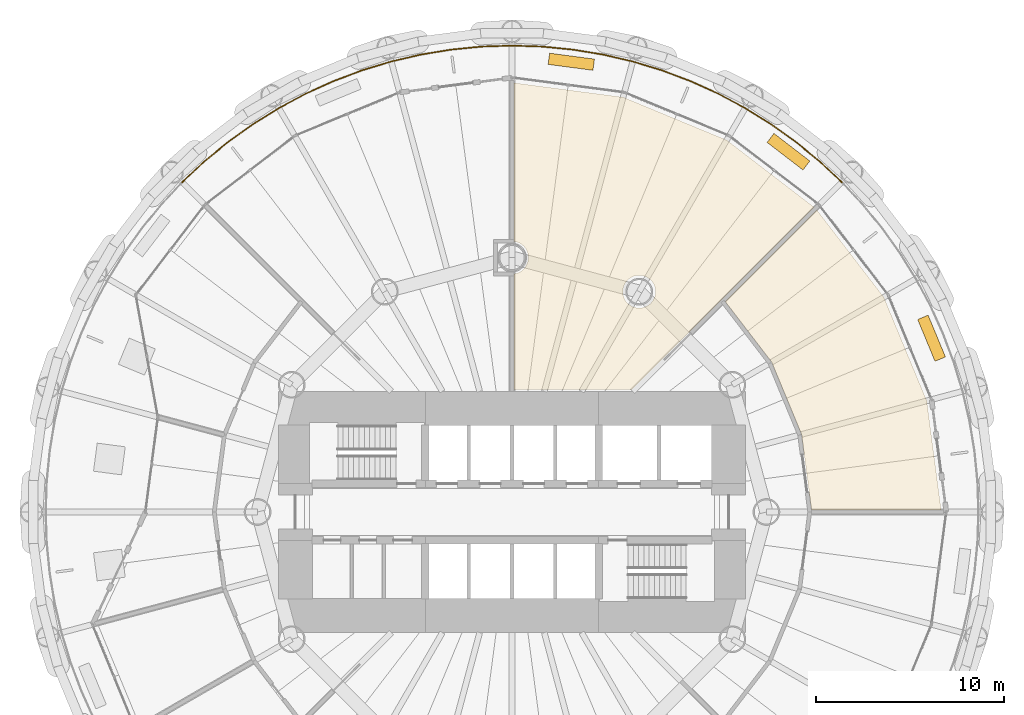
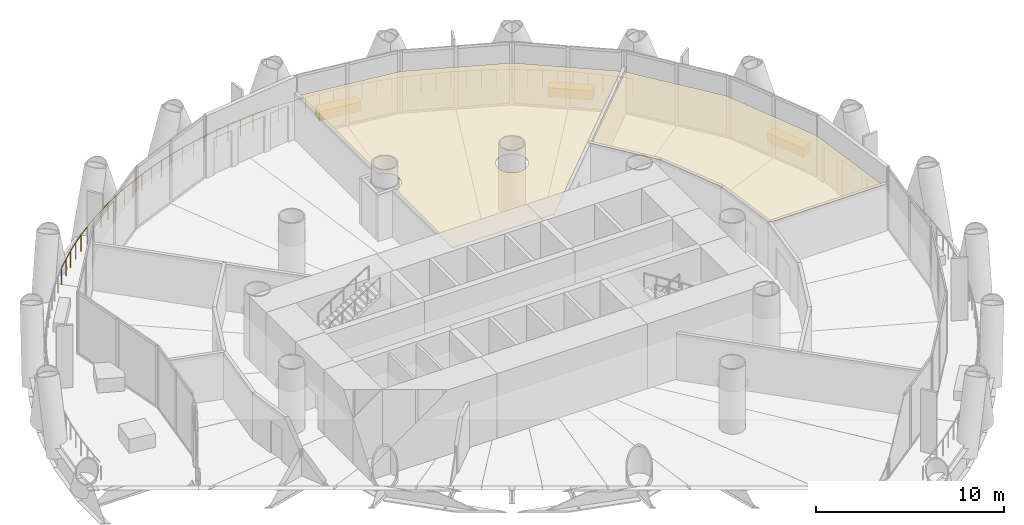
# One storey, part 15 of 15: 5 coverings, 1 railing.
"""IFC4 building model written with IfcOpenShell, lengths in metres."""

import ifcopenshell
import ifcopenshell.guid

model = None  # the IFC model being written
_history = None  # IfcOwnerHistory: only IFC2X3 demands one
_inside = {}  # id of a spatial element -> (the spatial element, [elements in it])
_under = {}  # id of a project, library or spatial element -> (it, [spatial elements below it])
_declared = {}  # id of a project -> (the project, [libraries it declares])
_typed = {}  # id of a type object -> (the type object, [elements of that type])
_made_of = {}  # id of a material, layer set ... -> (it, [elements and type objects made of it])


def new_model(schema):
    """Start an empty IFC model of exactly this schema.

    Asked for "IFC4X3", IfcOpenShell would pick the latest addendum, in which some entities
    have other attributes; the version numbers below select the first issue.
    IFC2X3 requires an IfcOwnerHistory on every rooted entity: one is made here for all.
    """
    global model, _history
    if schema == "IFC4X3":
        model = ifcopenshell.file(schema_version=(4, 3, 0, 0))
    else:
        model = ifcopenshell.file(schema=schema)
    _inside.clear()
    _under.clear()
    _declared.clear()
    _typed.clear()
    _made_of.clear()
    _history = None
    if model.schema == "IFC2X3":
        org = make("IfcOrganization", Name="unknown")
        user = make(
            "IfcPersonAndOrganization",
            ThePerson=make("IfcPerson", FamilyName="unknown"),
            TheOrganization=org,
        )
        app = make(
            "IfcApplication",
            ApplicationDeveloper=org,
            Version="unknown",
            ApplicationFullName="unknown",
            ApplicationIdentifier="unknown",
        )
        _history = make(
            "IfcOwnerHistory",
            OwningUser=user,
            OwningApplication=app,
            ChangeAction="ADDED",
            CreationDate=0,
        )
    return model


def make(cls, **values):
    """One entity of the class cls with the attributes given. An attribute that is None is left unset."""
    return model.create_entity(
        cls, **{name: value for name, value in values.items() if value is not None}
    )


def rooted(cls, **values):
    """An entity with a GlobalId (a new one), such as an element, a storey or a relation."""
    return make(cls, GlobalId=ifcopenshell.guid.new(), OwnerHistory=_history, **values)


def si_unit(unit_type, name, prefix=None):
    """IfcSIUnit, for example si_unit("LENGTHUNIT", "METRE", prefix="MILLI")."""
    return make("IfcSIUnit", UnitType=unit_type, Prefix=prefix, Name=name)


def assignment(units):
    """IfcUnitAssignment: the units of a project."""
    return None if units is None else make("IfcUnitAssignment", Units=units)


def point(xyz):
    """IfcCartesianPoint."""
    return None if xyz is None else make("IfcCartesianPoint", Coordinates=xyz)


def direction(xyz):
    """IfcDirection."""
    return None if xyz is None else make("IfcDirection", DirectionRatios=xyz)


def frame(location, z_axis=None, x_axis=None):
    """IfcAxis2Placement3D, a coordinate frame: its origin and axes. An axis left out is left unset."""
    return make(
        "IfcAxis2Placement3D",
        Location=point(location),
        Axis=direction(z_axis),
        RefDirection=direction(x_axis),
    )


def frame_2d(location, x_axis=None):
    """IfcAxis2Placement2D, a coordinate frame in the plane: its origin and x axis."""
    return make(
        "IfcAxis2Placement2D", Location=point(location), RefDirection=direction(x_axis)
    )


def origin():
    """The frame at (0, 0, 0) with its axes left unset."""
    return frame((0.0, 0.0, 0.0))


def origin_2d():
    """The frame at (0, 0) in the plane with its x axis left unset."""
    return frame_2d((0.0, 0.0))


def place(relative_to, where):
    """IfcLocalPlacement: puts the frame where relative to a parent placement (None: the world)."""
    return make(
        "IfcLocalPlacement", PlacementRelTo=relative_to, RelativePlacement=where
    )


def context(
    kind, dimensions, precision=None, world=None, true_north=None, identifier=None
):
    """IfcGeometricRepresentationContext, for example the 3D "Model" context."""
    return make(
        "IfcGeometricRepresentationContext",
        ContextIdentifier=identifier,
        ContextType=kind,
        CoordinateSpaceDimension=dimensions,
        Precision=precision,
        WorldCoordinateSystem=world,
        TrueNorth=true_north,
    )


def subcontext(parent, identifier, kind, view, scale=None):
    """IfcGeometricRepresentationSubContext, for example "Body" below "Model"."""
    return make(
        "IfcGeometricRepresentationSubContext",
        ContextIdentifier=identifier,
        ContextType=kind,
        ParentContext=parent,
        TargetScale=scale,
        TargetView=view,
    )


def project(units=None, contexts=None):
    """IfcProject with its units and contexts."""
    return rooted(
        "IfcProject",
        Name="project",
        RepresentationContexts=contexts,
        UnitsInContext=assignment(units),
    )


def spatial(cls, under=None, at=None, **own):
    """A site, building, storey or space (cls), placed at a placement, below another one or the project."""
    s = rooted(cls, ObjectPlacement=at, **own)
    if under is not None:
        _under.setdefault(under.id(), (under, []))[1].append(s)
    return s


def polyline(points):
    """IfcPolyline through the points."""
    return make("IfcPolyline", Points=[point(p) for p in points])


def profile(cls, at=None, kind="AREA", **sizes):
    """A parametric profile (cls). Its sizes go by their IFC names, for example OverallWidth=200.0."""
    return make(cls, ProfileType=kind, Position=at, **sizes)


def rectangle(**sizes):
    """IfcRectangleProfileDef."""
    return profile("IfcRectangleProfileDef", **sizes)


def circle(**sizes):
    """IfcCircleProfileDef."""
    return profile("IfcCircleProfileDef", **sizes)


def outline(outer, holes=None, kind="AREA"):
    """IfcArbitraryClosedProfileDef: a profile drawn as a closed curve; with holes, ...WithVoids."""
    if holes is None:
        return make("IfcArbitraryClosedProfileDef", ProfileType=kind, OuterCurve=outer)
    return make(
        "IfcArbitraryProfileDefWithVoids",
        ProfileType=kind,
        OuterCurve=outer,
        InnerCurves=holes,
    )


def extrude(swept, where, along, depth):
    """IfcExtrudedAreaSolid: the profile swept, set in the frame where, extruded along a direction by depth."""
    return make(
        "IfcExtrudedAreaSolid",
        SweptArea=swept,
        Position=where,
        ExtrudedDirection=direction(along),
        Depth=depth,
    )


def shape(context_of_items, identifier, shape_type, items):
    """IfcShapeRepresentation: the items that make up one representation, for example the "Body"."""
    return make(
        "IfcShapeRepresentation",
        ContextOfItems=context_of_items,
        RepresentationIdentifier=identifier,
        RepresentationType=shape_type,
        Items=items,
    )


def material(Name=None, Category=None):
    """IfcMaterial."""
    return make("IfcMaterial", Name=Name, Category=Category)


def layer(
    of_material, thickness, ventilated=None, Name=None, Category=None, Priority=None
):
    """IfcMaterialLayer: one layer of a wall or slab, of a material (None: an air gap)."""
    return make(
        "IfcMaterialLayer",
        Material=of_material,
        LayerThickness=thickness,
        IsVentilated=ventilated,
        Name=Name,
        Category=Category,
        Priority=Priority,
    )


def layer_set(layers, Name=None):
    """IfcMaterialLayerSet."""
    return make("IfcMaterialLayerSet", MaterialLayers=layers, LayerSetName=Name)


def made_of(thing, what):
    """Note that an element or type object is made of a material, layer set ...; save() writes the relation."""
    if what is not None:
        _made_of.setdefault(what.id(), (what, []))[1].append(thing)
    return thing


def type_object(cls, material=None, **own):
    """A type object (cls), such as IfcWallType, which elements share."""
    return made_of(rooted(cls, **own), material)


def element(
    cls,
    number,
    at=None,
    inside=None,
    cuts=None,
    type_object=None,
    material=None,
    context=None,
    identifier="Body",
    shape_type=None,
    held_by="IfcProductDefinitionShape",
    body=None,
    shapes=None,
    **own,
):
    """One element of the class cls, such as IfcWall. Its Tag is "e" and its number.

    at: its placement. inside: the storey or other place that contains it. cuts: it is an
    opening in that element (IfcRelVoidsElement). A single representation is given by context,
    identifier, shape_type and body (its items); several are given by shapes. held_by: the class
    of the entity that holds the representations. save() writes the other relations.
    """
    e = rooted(cls, Tag="e%d" % number, ObjectPlacement=at, **own)
    if body is not None:
        shapes = [shape(context, identifier, shape_type, body)]
    if shapes is not None:
        e.Representation = make(held_by, Representations=shapes)
    if inside is not None:
        _inside.setdefault(inside.id(), (inside, []))[1].append(e)
    if cuts is not None:
        rooted(
            "IfcRelVoidsElement", RelatingBuildingElement=cuts, RelatedOpeningElement=e
        )
    if type_object is not None:
        _typed.setdefault(type_object.id(), (type_object, []))[1].append(e)
    return made_of(e, material)


def aggregate(whole, parts):
    """IfcRelAggregates: a whole, such as a stair, and the parts it consists of."""
    return rooted("IfcRelAggregates", RelatingObject=whole, RelatedObjects=parts)


def save(model, path):
    """Write the relations noted so far, then the file.

    IfcRelAggregates (storeys below a building ...), IfcRelContainedInSpatialStructure (elements
    in a storey), IfcRelDefinesByType, IfcRelAssociatesMaterial and IfcRelDeclares: one each for
    every whole, place, type object, material and project.
    """
    for whole, parts in _under.values():
        aggregate(whole, parts)
    for where, things in _inside.values():
        rooted(
            "IfcRelContainedInSpatialStructure",
            RelatedElements=things,
            RelatingStructure=where,
        )
    for kind, things in _typed.values():
        rooted("IfcRelDefinesByType", RelatedObjects=things, RelatingType=kind)
    for what, things in _made_of.values():
        rooted("IfcRelAssociatesMaterial", RelatedObjects=things, RelatingMaterial=what)
    for by, libraries in _declared.values():
        rooted("IfcRelDeclares", RelatingContext=by, RelatedDefinitions=libraries)
    model.write(path)


model = new_model("IFC4")

# Units and contexts
model_context = context("Model", 3, precision=1e-05, world=origin(), true_north=direction((0.0, 1.0)))
body_context = subcontext(model_context, "Body", "Model", "MODEL_VIEW")
ifc_project = project(units=[si_unit("LENGTHUNIT", "METRE"), si_unit("AREAUNIT", "SQUARE_METRE"), si_unit("VOLUMEUNIT", "CUBIC_METRE"), si_unit("PLANEANGLEUNIT", "RADIAN"), si_unit("MASSUNIT", "GRAM", prefix="KILO")], contexts=[model_context])

# Site, building, storey
site_placement = place(None, origin())
site = spatial("IfcSite", under=ifc_project, at=site_placement, CompositionType="ELEMENT")
building_placement = place(site_placement, origin())
building = spatial("IfcBuilding", under=site, at=building_placement, Name="Qaws Media Tower", CompositionType="ELEMENT")
storey_placement = place(building_placement, frame((0.0, 0.0, 72.199951171875)))
storey = spatial("IfcBuildingStorey", under=building, at=storey_placement, Name="L15", CompositionType="ELEMENT", Elevation=72.199951171875)

# Coverings
ifc_material_1 = material(Name="40 perforated acoustic panels with mineral wool backing, suspended", Category="mineral fibre")
ifc_layer_1 = layer(ifc_material_1, 0.0400390625)
ifc_layer_set_1 = layer_set([ifc_layer_1], Name="Acoustic panel ceiling 40")
covering_type_1 = type_object("IfcCoveringType", Name="Acoustic panel ceiling 40", PredefinedType="CEILING", material=ifc_layer_set_1)
covering_1_placement = place(storey_placement, frame((0.0, 0.0, 2.85009765625)))
element("IfcCovering", 1, at=covering_1_placement, inside=storey, type_object=covering_type_1, Name="CL3 ceiling L15-02 Digital desk", PredefinedType="CEILING", context=body_context, shape_type="SweptSolid", body=[
    extrude(outline(polyline([(79.732666015625, 61.392578125), (82.0087890625, 55.897216796875), (82.7705078125, 50.112548828125), (75.898681640625, 50.112548828125), (75.37109375, 54.11865234375), (73.781494140625, 57.956787109375), (71.321533203125, 61.16259765625), (76.1806640625, 66.021484375), (79.732666015625, 61.392578125)])), origin(), (0.0, 0.0, 1.0), 0.0400390625),
])
covering_2_placement = place(storey_placement, frame((0.0, 0.0, 2.85009765625)))
element("IfcCovering", 2, at=covering_2_placement, inside=storey, type_object=covering_type_1, Name="CL3 ceiling L15-03 Digital desk", PredefinedType="CEILING", context=body_context, shape_type="SweptSolid", body=[
    extrude(outline(polyline([(65.897216796875, 72.0087890625), (71.392578125, 69.732666015625), (76.021484375, 66.1806640625), (66.353515625, 56.512451171875), (60.112548828125, 56.512451171875), (60.112548828125, 62.636474609375), (60.225341796875, 62.65869140625), (60.333251953125, 62.6953125), (60.435546875, 62.74560546875), (60.5302734375, 62.80908203125), (60.615966796875, 62.884033203125), (60.69091796875, 62.9697265625), (60.75439453125, 63.064453125), (60.8046875, 63.166748046875), (60.84130859375, 63.274658203125), (60.863525390625, 63.38623046875), (60.87109375, 63.5), (60.863525390625, 63.61376953125), (60.84130859375, 63.725341796875), (60.8046875, 63.833251953125), (60.75439453125, 63.935546875), (60.69091796875, 64.0302734375), (60.615966796875, 64.115966796875), (60.5302734375, 64.19091796875), (60.435546875, 64.25439453125), (60.333251953125, 64.3046875), (60.225341796875, 64.34130859375), (60.112548828125, 64.363525390625), (60.112548828125, 72.7705078125), (65.897216796875, 72.0087890625)]), holes=[polyline([(67.5546875, 61.35791015625), (67.59130859375, 61.4658203125), (67.613525390625, 61.57763671875), (67.62109375, 61.69140625), (67.613525390625, 61.804931640625), (67.59130859375, 61.916748046875), (67.5546875, 62.024658203125), (67.50439453125, 62.126708984375), (67.44091796875, 62.2216796875), (67.365966796875, 62.30712890625), (67.2802734375, 62.38232421875), (67.185546875, 62.44580078125), (67.083251953125, 62.49609375), (66.975341796875, 62.53271484375), (66.86376953125, 62.554931640625), (66.75, 62.562255859375), (66.63623046875, 62.554931640625), (66.524658203125, 62.53271484375), (66.416748046875, 62.49609375), (66.314453125, 62.44580078125), (66.2197265625, 62.38232421875), (66.134033203125, 62.30712890625), (66.05908203125, 62.2216796875), (65.99560546875, 62.126708984375), (65.9453125, 62.024658203125), (65.90869140625, 61.916748046875), (65.886474609375, 61.804931640625), (65.87890625, 61.69140625), (65.886474609375, 61.57763671875), (65.90869140625, 61.4658203125), (65.9453125, 61.35791015625), (65.99560546875, 61.255859375), (66.05908203125, 61.1611328125), (66.134033203125, 61.075439453125), (66.2197265625, 61.000244140625), (66.314453125, 60.93701171875), (66.416748046875, 60.88671875), (66.524658203125, 60.85009765625), (66.63623046875, 60.827880859375), (66.75, 60.8203125), (66.86376953125, 60.827880859375), (66.975341796875, 60.85009765625), (67.083251953125, 60.88671875), (67.185546875, 60.93701171875), (67.2802734375, 61.000244140625), (67.365966796875, 61.075439453125), (67.44091796875, 61.1611328125), (67.50439453125, 61.255859375), (67.5546875, 61.35791015625)])]), origin(), (0.0, 0.0, 1.0), 0.0400390625),
])

# Railing
ifc_material_2 = material(Name="Stainless steel and glass guard", Category="steel")
railing_type = type_object("IfcRailingType", Name="Balcony guard 1100", PredefinedType="GUARDRAIL", material=ifc_material_2)
railing_placement = place(storey_placement, frame((77.5009765625, 67.5009765625, 0.0)))
element("IfcRailing", 3, at=railing_placement, inside=storey, type_object=railing_type, Name="GR1 balcony guard L15-1", PredefinedType="GUARDRAIL", context=body_context, shape_type="SweptSolid", body=[
    extrude(circle(Radius=0.02392578125, at=origin_2d()), frame((0.0, 0.0, 1.076171875), z_axis=(-0.729866170297, 0.683590062432, 0.0), x_axis=(-0.683590062432, -0.729866170297, 0.0)), (0.0, 0.0, 1.0), 1.61962890625),
    extrude(circle(Radius=0.02392578125, at=origin_2d()), frame((-1.18212890625, 1.107177734375, 1.076171875), z_axis=(-0.773043042014, 0.634353572698, 0.0), x_axis=(-0.634353572698, -0.773043042014, 0.0)), (0.0, 0.0, 1.0), 1.61962890625),
    extrude(circle(Radius=0.02392578125, at=origin_2d()), frame((-2.43408203125, 2.134521484375, 1.076171875), z_axis=(-0.812887300094, 0.582421013826, 0.0), x_axis=(-0.582421013826, -0.812887300094, 0.0)), (0.0, 0.0, 1.0), 1.61962890625),
    extrude(circle(Radius=0.02392578125, at=origin_2d()), frame((-3.750732421875, 3.077880859375, 1.076171875), z_axis=(-0.849190316648, 0.528086930449, 0.0), x_axis=(-0.528086930449, -0.849190316648, 0.0)), (0.0, 0.0, 1.0), 1.619384765625),
    extrude(circle(Radius=0.02392578125, at=origin_2d()), frame((-5.1259765625, 3.93310546875, 1.076171875), z_axis=(-0.881947874294, 0.471346949738, 0.0), x_axis=(-0.471346949738, -0.881947874294, 0.0)), (0.0, 0.0, 1.0), 1.61962890625),
    extrude(circle(Radius=0.02392578125, at=origin_2d()), frame((-6.554443359375, 4.696533203125, 1.076171875), z_axis=(-0.910840848393, 0.412757736329, 0.0), x_axis=(-0.412757736329, -0.910840848393, 0.0)), (0.0, 0.0, 1.0), 1.619384765625),
    extrude(circle(Radius=0.02392578125, at=origin_2d()), frame((-8.029541015625, 5.364990234375, 1.076171875), z_axis=(-0.935901062927, 0.352262970537, 0.0), x_axis=(-0.352262970537, -0.935901062927, 0.0)), (0.0, 0.0, 1.0), 1.61962890625),
    extrude(circle(Radius=0.02392578125, at=origin_2d()), frame((-9.54541015625, 5.935546875, 1.076171875), z_axis=(-0.956925458438, 0.290333716596, 0.0), x_axis=(-0.290333716596, -0.956925458438, 0.0)), (0.0, 0.0, 1.0), 1.61962890625),
    extrude(circle(Radius=0.02392578125, at=origin_2d()), frame((-11.09521484375, 6.40576171875, 1.076171875), z_axis=(-0.973893440618, 0.227005652619, 0.0), x_axis=(-0.227005652619, -0.973893440618, 0.0)), (0.0, 0.0, 1.0), 1.61962890625),
    extrude(circle(Radius=0.02392578125, at=origin_2d()), frame((-12.672607421875, 6.7734375, 1.076171875), z_axis=(-0.986633248331, 0.162956538036, 0.0), x_axis=(-0.162956538036, -0.986633248331, 0.0)), (0.0, 0.0, 1.0), 1.61962890625),
    extrude(circle(Radius=0.02392578125, at=origin_2d()), frame((-14.2705078125, 7.037353515625, 1.076171875), z_axis=(-0.995188258587, 0.097981273566, 0.0), x_axis=(-0.097981273566, -0.995188258587, 0.0)), (0.0, 0.0, 1.0), 1.61962890625),
    extrude(circle(Radius=0.02392578125, at=origin_2d()), frame((-15.88232421875, 7.196044921875, 1.076171875), z_axis=(-0.999464803017, 0.032712498078, 0.0), x_axis=(-0.032712498078, -0.999464803017, 0.0)), (0.0, 0.0, 1.0), 1.61962890625),
    extrude(circle(Radius=0.02392578125, at=origin_2d()), frame((-17.5009765625, 7.2490234375, 1.076171875), z_axis=(-0.999464803017, -0.032712498078, 0.0), x_axis=(0.032712498078, -0.999464803017, 0.0)), (0.0, 0.0, 1.0), 1.61962890625),
    extrude(circle(Radius=0.02392578125, at=origin_2d()), frame((-19.11962890625, 7.196044921875, 1.076171875), z_axis=(-0.995188258587, -0.097981273566, 0.0), x_axis=(0.097981273566, -0.995188258587, 0.0)), (0.0, 0.0, 1.0), 1.61962890625),
    extrude(circle(Radius=0.02392578125, at=origin_2d()), frame((-20.7314453125, 7.037353515625, 1.076171875), z_axis=(-0.986633248331, -0.162956538036, 0.0), x_axis=(0.162956538036, -0.986633248331, 0.0)), (0.0, 0.0, 1.0), 1.61962890625),
    extrude(circle(Radius=0.02392578125, at=origin_2d()), frame((-22.329345703125, 6.7734375, 1.076171875), z_axis=(-0.973893440618, -0.227005652619, 0.0), x_axis=(0.227005652619, -0.973893440618, 0.0)), (0.0, 0.0, 1.0), 1.61962890625),
    extrude(circle(Radius=0.02392578125, at=origin_2d()), frame((-23.90673828125, 6.40576171875, 1.076171875), z_axis=(-0.956925458438, -0.290333716596, 0.0), x_axis=(0.290333716596, -0.956925458438, 0.0)), (0.0, 0.0, 1.0), 1.61962890625),
    extrude(circle(Radius=0.02392578125, at=origin_2d()), frame((-25.45654296875, 5.935546875, 1.076171875), z_axis=(-0.935901062927, -0.352262970537, 0.0), x_axis=(0.352262970537, -0.935901062927, 0.0)), (0.0, 0.0, 1.0), 1.61962890625),
    extrude(circle(Radius=0.02392578125, at=origin_2d()), frame((-26.972412109375, 5.364990234375, 1.076171875), z_axis=(-0.910840848393, -0.412757736329, 0.0), x_axis=(0.412757736329, -0.910840848393, 0.0)), (0.0, 0.0, 1.0), 1.619384765625),
    extrude(circle(Radius=0.02392578125, at=origin_2d()), frame((-28.447509765625, 4.696533203125, 1.076171875), z_axis=(-0.881947874294, -0.471346949738, 0.0), x_axis=(0.471346949738, -0.881947874294, 0.0)), (0.0, 0.0, 1.0), 1.61962890625),
    extrude(circle(Radius=0.02392578125, at=origin_2d()), frame((-29.8759765625, 3.93310546875, 1.076171875), z_axis=(-0.849190316648, -0.528086930449, 0.0), x_axis=(0.528086930449, -0.849190316648, 0.0)), (0.0, 0.0, 1.0), 1.619384765625),
    extrude(circle(Radius=0.02392578125, at=origin_2d()), frame((-31.251220703125, 3.077880859375, 1.076171875), z_axis=(-0.812887300094, -0.582421013826, 0.0), x_axis=(0.582421013826, -0.812887300094, 0.0)), (0.0, 0.0, 1.0), 1.61962890625),
    extrude(circle(Radius=0.02392578125, at=origin_2d()), frame((-32.56787109375, 2.134521484375, 1.076171875), z_axis=(-0.773043042014, -0.634353572698, 0.0), x_axis=(0.634353572698, -0.773043042014, 0.0)), (0.0, 0.0, 1.0), 1.61962890625),
    extrude(circle(Radius=0.02392578125, at=origin_2d()), frame((-33.81982421875, 1.107177734375, 1.076171875), z_axis=(-0.729866170297, -0.683590062432, 0.0), x_axis=(0.683590062432, -0.729866170297, 0.0)), (0.0, 0.0, 1.0), 1.61962890625),
    extrude(circle(Radius=0.02099609375, at=origin_2d()), origin(), (0.0, 0.0, 1.0), 1.052001953125),
    extrude(circle(Radius=0.02099609375, at=origin_2d()), frame((-0.591064453125, 0.5537109375, 0.0)), (0.0, 0.0, 1.0), 1.052001953125),
    extrude(circle(Radius=0.02099609375, at=origin_2d()), frame((-1.18212890625, 1.107177734375, 0.0)), (0.0, 0.0, 1.0), 1.052001953125),
    extrude(circle(Radius=0.02099609375, at=origin_2d()), frame((-1.80810546875, 1.620849609375, 0.0)), (0.0, 0.0, 1.0), 1.052001953125),
    extrude(circle(Radius=0.02099609375, at=origin_2d()), frame((-2.43408203125, 2.134521484375, 0.0)), (0.0, 0.0, 1.0), 1.052001953125),
    extrude(circle(Radius=0.02099609375, at=origin_2d()), frame((-3.09228515625, 2.606201171875, 0.0)), (0.0, 0.0, 1.0), 1.052001953125),
    extrude(circle(Radius=0.02099609375, at=origin_2d()), frame((-3.750732421875, 3.077880859375, 0.0)), (0.0, 0.0, 1.0), 1.052001953125),
    extrude(circle(Radius=0.02099609375, at=origin_2d()), frame((-4.4384765625, 3.50537109375, 0.0)), (0.0, 0.0, 1.0), 1.052001953125),
    extrude(circle(Radius=0.02099609375, at=origin_2d()), frame((-5.1259765625, 3.93310546875, 0.0)), (0.0, 0.0, 1.0), 1.052001953125),
    extrude(circle(Radius=0.02099609375, at=origin_2d()), frame((-5.84033203125, 4.31494140625, 0.0)), (0.0, 0.0, 1.0), 1.052001953125),
    extrude(circle(Radius=0.02099609375, at=origin_2d()), frame((-6.554443359375, 4.696533203125, 0.0)), (0.0, 0.0, 1.0), 1.052001953125),
    extrude(circle(Radius=0.02099609375, at=origin_2d()), frame((-7.2919921875, 5.03076171875, 0.0)), (0.0, 0.0, 1.0), 1.052001953125),
    extrude(circle(Radius=0.02099609375, at=origin_2d()), frame((-8.029541015625, 5.364990234375, 0.0)), (0.0, 0.0, 1.0), 1.052001953125),
    extrude(circle(Radius=0.02099609375, at=origin_2d()), frame((-8.78759765625, 5.650390625, 0.0)), (0.0, 0.0, 1.0), 1.052001953125),
    extrude(circle(Radius=0.02099609375, at=origin_2d()), frame((-9.54541015625, 5.935546875, 0.0)), (0.0, 0.0, 1.0), 1.052001953125),
    extrude(circle(Radius=0.02099609375, at=origin_2d()), frame((-10.3203125, 6.170654296875, 0.0)), (0.0, 0.0, 1.0), 1.052001953125),
    extrude(circle(Radius=0.02099609375, at=origin_2d()), frame((-11.09521484375, 6.40576171875, 0.0)), (0.0, 0.0, 1.0), 1.052001953125),
    extrude(circle(Radius=0.02099609375, at=origin_2d()), frame((-11.8837890625, 6.589599609375, 0.0)), (0.0, 0.0, 1.0), 1.052001953125),
    extrude(circle(Radius=0.02099609375, at=origin_2d()), frame((-12.672607421875, 6.7734375, 0.0)), (0.0, 0.0, 1.0), 1.052001953125),
    extrude(circle(Radius=0.02099609375, at=origin_2d()), frame((-13.4716796875, 6.9052734375, 0.0)), (0.0, 0.0, 1.0), 1.052001953125),
    extrude(circle(Radius=0.02099609375, at=origin_2d()), frame((-14.2705078125, 7.037353515625, 0.0)), (0.0, 0.0, 1.0), 1.052001953125),
    extrude(circle(Radius=0.02099609375, at=origin_2d()), frame((-15.076416015625, 7.11669921875, 0.0)), (0.0, 0.0, 1.0), 1.052001953125),
    extrude(circle(Radius=0.02099609375, at=origin_2d()), frame((-15.88232421875, 7.196044921875, 0.0)), (0.0, 0.0, 1.0), 1.052001953125),
    extrude(circle(Radius=0.02099609375, at=origin_2d()), frame((-16.691650390625, 7.22265625, 0.0)), (0.0, 0.0, 1.0), 1.052001953125),
    extrude(circle(Radius=0.02099609375, at=origin_2d()), frame((-17.5009765625, 7.2490234375, 0.0)), (0.0, 0.0, 1.0), 1.052001953125),
    extrude(circle(Radius=0.02099609375, at=origin_2d()), frame((-18.310302734375, 7.22265625, 0.0)), (0.0, 0.0, 1.0), 1.052001953125),
    extrude(circle(Radius=0.02099609375, at=origin_2d()), frame((-19.11962890625, 7.196044921875, 0.0)), (0.0, 0.0, 1.0), 1.052001953125),
    extrude(circle(Radius=0.02099609375, at=origin_2d()), frame((-19.925537109375, 7.11669921875, 0.0)), (0.0, 0.0, 1.0), 1.052001953125),
    extrude(circle(Radius=0.02099609375, at=origin_2d()), frame((-20.7314453125, 7.037353515625, 0.0)), (0.0, 0.0, 1.0), 1.052001953125),
    extrude(circle(Radius=0.02099609375, at=origin_2d()), frame((-21.5302734375, 6.9052734375, 0.0)), (0.0, 0.0, 1.0), 1.052001953125),
    extrude(circle(Radius=0.02099609375, at=origin_2d()), frame((-22.329345703125, 6.7734375, 0.0)), (0.0, 0.0, 1.0), 1.052001953125),
    extrude(circle(Radius=0.02099609375, at=origin_2d()), frame((-23.1181640625, 6.589599609375, 0.0)), (0.0, 0.0, 1.0), 1.052001953125),
    extrude(circle(Radius=0.02099609375, at=origin_2d()), frame((-23.90673828125, 6.40576171875, 0.0)), (0.0, 0.0, 1.0), 1.052001953125),
    extrude(circle(Radius=0.02099609375, at=origin_2d()), frame((-24.681640625, 6.170654296875, 0.0)), (0.0, 0.0, 1.0), 1.052001953125),
    extrude(circle(Radius=0.02099609375, at=origin_2d()), frame((-25.45654296875, 5.935546875, 0.0)), (0.0, 0.0, 1.0), 1.052001953125),
    extrude(circle(Radius=0.02099609375, at=origin_2d()), frame((-26.21435546875, 5.650390625, 0.0)), (0.0, 0.0, 1.0), 1.052001953125),
    extrude(circle(Radius=0.02099609375, at=origin_2d()), frame((-26.972412109375, 5.364990234375, 0.0)), (0.0, 0.0, 1.0), 1.052001953125),
    extrude(circle(Radius=0.02099609375, at=origin_2d()), frame((-27.7099609375, 5.03076171875, 0.0)), (0.0, 0.0, 1.0), 1.052001953125),
    extrude(circle(Radius=0.02099609375, at=origin_2d()), frame((-28.447509765625, 4.696533203125, 0.0)), (0.0, 0.0, 1.0), 1.052001953125),
    extrude(circle(Radius=0.02099609375, at=origin_2d()), frame((-29.16162109375, 4.31494140625, 0.0)), (0.0, 0.0, 1.0), 1.052001953125),
    extrude(circle(Radius=0.02099609375, at=origin_2d()), frame((-29.8759765625, 3.93310546875, 0.0)), (0.0, 0.0, 1.0), 1.052001953125),
    extrude(circle(Radius=0.02099609375, at=origin_2d()), frame((-30.5634765625, 3.50537109375, 0.0)), (0.0, 0.0, 1.0), 1.052001953125),
    extrude(circle(Radius=0.02099609375, at=origin_2d()), frame((-31.251220703125, 3.077880859375, 0.0)), (0.0, 0.0, 1.0), 1.052001953125),
    extrude(circle(Radius=0.02099609375, at=origin_2d()), frame((-31.90966796875, 2.606201171875, 0.0)), (0.0, 0.0, 1.0), 1.052001953125),
    extrude(circle(Radius=0.02099609375, at=origin_2d()), frame((-32.56787109375, 2.134521484375, 0.0)), (0.0, 0.0, 1.0), 1.052001953125),
    extrude(circle(Radius=0.02099609375, at=origin_2d()), frame((-33.19384765625, 1.620849609375, 0.0)), (0.0, 0.0, 1.0), 1.052001953125),
    extrude(circle(Radius=0.02099609375, at=origin_2d()), frame((-33.81982421875, 1.107177734375, 0.0)), (0.0, 0.0, 1.0), 1.052001953125),
    extrude(circle(Radius=0.02099609375, at=origin_2d()), frame((-34.410888671875, 0.5537109375, 0.0)), (0.0, 0.0, 1.0), 1.052001953125),
    extrude(circle(Radius=0.02099609375, at=origin_2d()), frame((-35.001953125, 0.0, 0.0)), (0.0, 0.0, 1.0), 1.052001953125),
])

# Coverings
ifc_material_3 = material(Name="Precast concrete planter with trailing planting", Category="concrete")
ifc_layer_2 = layer(ifc_material_3, 0.60009765625)
ifc_layer_set_2 = layer_set([ifc_layer_2], Name="Planter 2400x600")
covering_type_2 = type_object("IfcCoveringType", Name="Planter 2400x600", PredefinedType="USERDEFINED", material=ifc_layer_set_2)
for number, where, z_axis, x_axis, name in (
    (4, (82.265380859375, 59.22265625, 0.0), (0.0, 0.0, 1.0), (-0.382683432365, 0.923879532511, 0.0), "PL1 balcony planter L15-01"),
    (5, (74.671142578125, 69.119873046875, 0.0), (0.0, 0.0, 1.0), (-0.793353340291, 0.608761429009, 0.0), "PL1 balcony planter L15-02"),
    (6, (63.145751953125, 73.893798828125, 0.0), (0.0, 0.0, 1.0), (-0.991444861374, 0.13052619222, 0.0), "PL1 balcony planter L15-03"),
):
    element("IfcCovering", number, at=place(storey_placement, frame(where, z_axis=z_axis, x_axis=x_axis)), inside=storey, type_object=covering_type_2, Name=name, ObjectType="PLANTER", PredefinedType="USERDEFINED", context=body_context, shape_type="SweptSolid", body=[
        extrude(rectangle(XDim=2.39990234375, YDim=0.60009765625, at=origin_2d()), origin(), (0.0, 0.0, 1.0), 0.60009765625),
    ])

save(model, "model.ifc")
